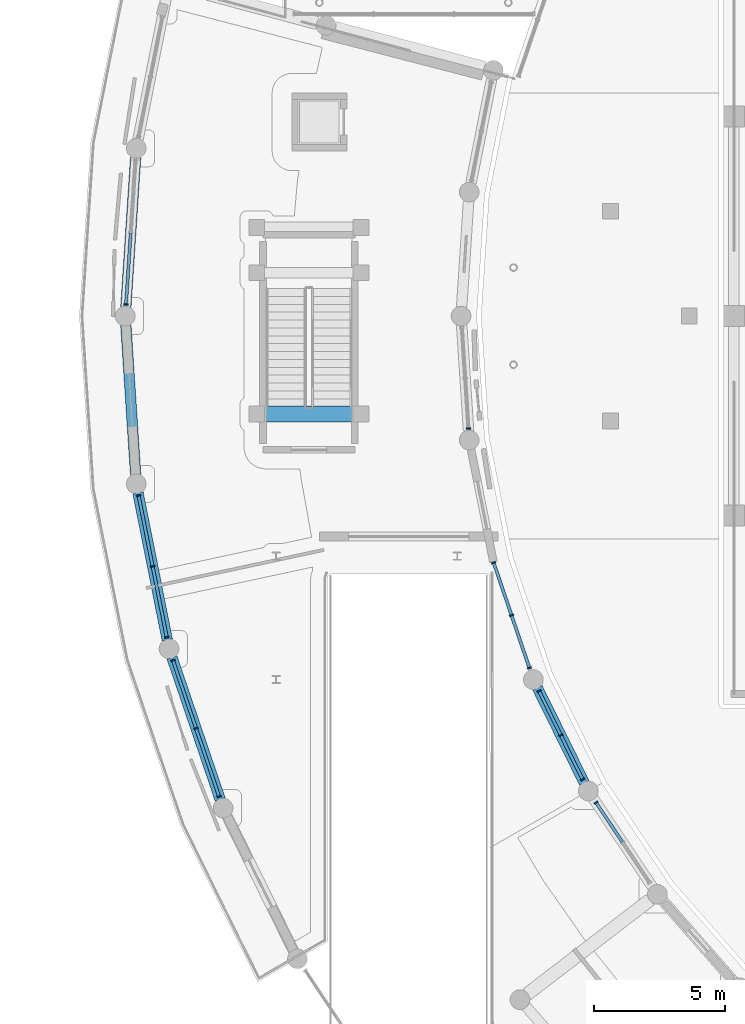
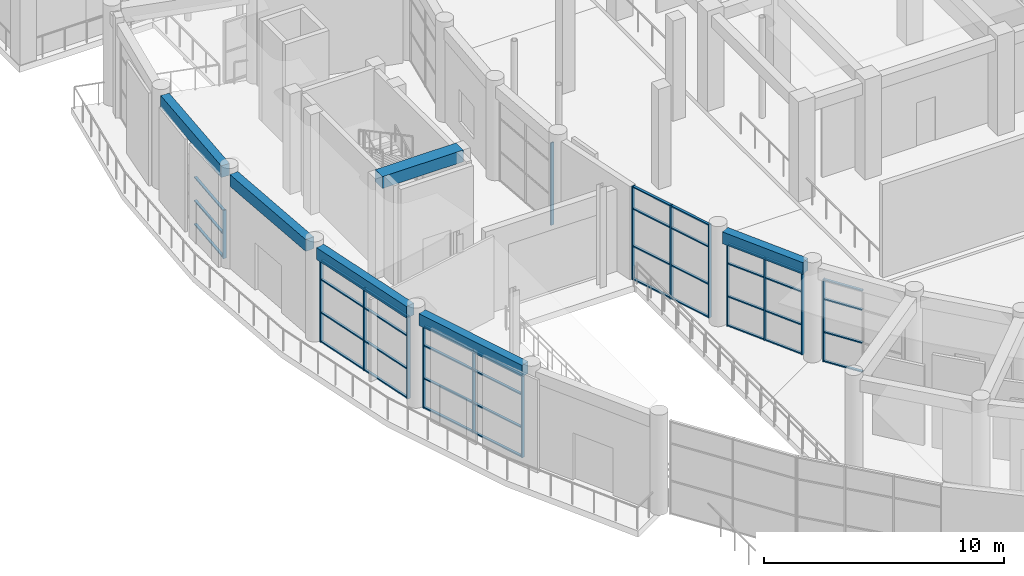
# One storey, part 31 of 99: 54 members, 6 beams, 7 elements without a shape of their own.
"""IFC4 building model written with IfcOpenShell, lengths in metres."""

from ifc_helpers import new_model, si_unit, direction, frame, origin, origin_2d, place, context, subcontext, project, spatial, rectangle, extrude, material, material_profile, profile_set, type_object, element, aggregate, save


model = new_model("IFC4")

# Units and contexts
model_context = context("Model", 3, precision=1e-05, world=origin(), true_north=direction((0.0, 1.0)))
body_context = subcontext(model_context, "Body", "Model", "MODEL_VIEW")
ifc_project = project(units=[si_unit("LENGTHUNIT", "METRE"), si_unit("AREAUNIT", "SQUARE_METRE"), si_unit("VOLUMEUNIT", "CUBIC_METRE"), si_unit("PLANEANGLEUNIT", "RADIAN"), si_unit("MASSUNIT", "GRAM", prefix="KILO")], contexts=[model_context])

# Site, building, storey
site_placement = place(None, origin())
site = spatial("IfcSite", under=ifc_project, at=site_placement, CompositionType="ELEMENT")
building_placement = place(site_placement, origin())
building = spatial("IfcBuilding", under=site, at=building_placement, Name="Saryqyr Civic Hall", CompositionType="ELEMENT")
storey_placement = place(building_placement, origin())
storey = spatial("IfcBuildingStorey", under=building, at=storey_placement, Name="L00", CompositionType="ELEMENT", Elevation=0.0)

# Curtain wall, member
ifc_material_1 = material(Name="Anodised aluminium and triple low-E glass", Category="aluminium")
curtain_wall_type_1 = type_object("IfcCurtainWallType", Name="ENV-CW-STD-03", PredefinedType="NOTDEFINED", material=ifc_material_1)
curtain_wall_1_placement = place(storey_placement, origin())
curtain_wall_1 = element("IfcCurtainWall", 1, at=curtain_wall_1_placement, inside=storey, type_object=curtain_wall_type_1, Name="Curtain wall V4-CWO-L00-01", PredefinedType="NOTDEFINED")
ifc_material_2 = material(Name="Anodised aluminium", Category="aluminium")
ifc_material_profile_1 = material_profile(ifc_material_2, rectangle(XDim=0.06005859375, YDim=0.159912109375, at=origin_2d()), Name="ALU MULLION 60x160")
ifc_profile_set_1 = profile_set([ifc_material_profile_1], Name="Anodised aluminium")
member_type_1 = type_object("IfcMemberType", Name="ENV-CW-MUL-180", PredefinedType="MULLION", material=ifc_profile_set_1)
member_1_placement = place(storey_placement, frame((8.029052734375, 84.44482421875, 0.0), z_axis=(0.0, 0.0, 1.0), x_axis=(0.065402806948, 0.997858944362, 0.0)))
member_1 = element("IfcMember", 2, at=member_1_placement, type_object=member_type_1, Name="CW-03 mullion 1", PredefinedType="MULLION", context=body_context, shape_type="SweptSolid", body=[
    extrude(rectangle(XDim=0.06005859375, YDim=0.159912109375, at=origin_2d()), origin(), (0.0, 0.0, 1.0), 2.449951171875),
])

curtain_wall_type_2 = type_object("IfcCurtainWallType", Name="ENV-CW-STD-02", PredefinedType="NOTDEFINED", material=ifc_material_1)
curtain_wall_2_placement = place(storey_placement, origin())
curtain_wall_2 = element("IfcCurtainWall", 3, at=curtain_wall_2_placement, inside=storey, type_object=curtain_wall_type_2, Name="Curtain wall V4-CWI-L00-02", PredefinedType="NOTDEFINED")
member_2_placement = place(storey_placement, frame((21.08056640625, 79.719970703125, 0.0), z_axis=(0.0, 0.0, 1.0), x_axis=(0.065405224139, -0.997858785929, 0.0)))
member_2 = element("IfcMember", 4, at=member_2_placement, type_object=member_type_1, Name="CW-02 mullion 3", PredefinedType="MULLION", context=body_context, shape_type="SweptSolid", body=[
    extrude(rectangle(XDim=0.06005859375, YDim=0.159912109375, at=origin_2d()), origin(), (0.0, 0.0, 1.0), 4.195068359375),
])
aggregate(curtain_wall_2, [member_2])

# Curtain wall, members
curtain_wall_type_3 = type_object("IfcCurtainWallType", Name="ENV-CW-STD-04", PredefinedType="NOTDEFINED", material=ifc_material_1)
curtain_wall_3_placement = place(storey_placement, origin())
curtain_wall_3 = element("IfcCurtainWall", 5, at=curtain_wall_3_placement, inside=storey, type_object=curtain_wall_type_3, Name="Curtain wall V4-CWO-L00-03", PredefinedType="NOTDEFINED")
member_3_placement = place(storey_placement, frame((9.581298828125, 71.76220703125, 0.0), z_axis=(0.0, 0.0, 1.0), x_axis=(-0.195103195198, 0.98078271968, 0.0)))
member_3 = element("IfcMember", 6, at=member_3_placement, type_object=member_type_1, Name="CW-04 mullion 1", PredefinedType="MULLION", context=body_context, shape_type="SweptSolid", body=[
    extrude(rectangle(XDim=0.06005859375, YDim=0.159912109375, at=origin_2d()), origin(), (0.0, 0.0, 1.0), 4.195068359375),
])
member_4_placement = place(storey_placement, frame((9.04443359375, 74.4609375, 0.0), z_axis=(0.0, 0.0, 1.0), x_axis=(-0.195103195198, 0.98078271968, 0.0)))
member_4 = element("IfcMember", 7, at=member_4_placement, type_object=member_type_1, Name="CW-04 mullion 2", PredefinedType="MULLION", context=body_context, shape_type="SweptSolid", body=[
    extrude(rectangle(XDim=0.06005859375, YDim=0.159912109375, at=origin_2d()), origin(), (0.0, 0.0, 1.0), 4.195068359375),
])
member_5_placement = place(storey_placement, frame((8.507568359375, 77.15966796875, 0.0), z_axis=(0.0, 0.0, 1.0), x_axis=(-0.195103195198, 0.98078271968, 0.0)))
member_5 = element("IfcMember", 8, at=member_5_placement, type_object=member_type_1, Name="CW-04 mullion 3", PredefinedType="MULLION", context=body_context, shape_type="SweptSolid", body=[
    extrude(rectangle(XDim=0.06005859375, YDim=0.159912109375, at=origin_2d()), origin(), (0.0, 0.0, 1.0), 4.195068359375),
])

curtain_wall_type_4 = type_object("IfcCurtainWallType", Name="ENV-CW-STD-05", PredefinedType="NOTDEFINED", material=ifc_material_1)
curtain_wall_4_placement = place(storey_placement, origin())
curtain_wall_4 = element("IfcCurtainWall", 9, at=curtain_wall_4_placement, inside=storey, type_object=curtain_wall_type_4, Name="Curtain wall V4-CWO-L00-04", PredefinedType="NOTDEFINED")
member_6_placement = place(storey_placement, frame((11.579345703125, 65.69189453125, 0.0), z_axis=(0.0, 0.0, 1.0), x_axis=(-0.321433526831, 0.946932145314, 0.0)))
member_6 = element("IfcMember", 10, at=member_6_placement, type_object=member_type_1, Name="CW-05 mullion 1", PredefinedType="MULLION", context=body_context, shape_type="SweptSolid", body=[
    extrude(rectangle(XDim=0.06005859375, YDim=0.159912109375, at=origin_2d()), origin(), (0.0, 0.0, 1.0), 4.195068359375),
])
member_7_placement = place(storey_placement, frame((10.69970703125, 68.283203125, 0.0), z_axis=(0.0, 0.0, 1.0), x_axis=(-0.321433526831, 0.946932145314, 0.0)))
member_7 = element("IfcMember", 11, at=member_7_placement, type_object=member_type_1, Name="CW-05 mullion 2", PredefinedType="MULLION", context=body_context, shape_type="SweptSolid", body=[
    extrude(rectangle(XDim=0.06005859375, YDim=0.159912109375, at=origin_2d()), origin(), (0.0, 0.0, 1.0), 4.195068359375),
])
member_8_placement = place(storey_placement, frame((9.820068359375, 70.87451171875, 0.0), z_axis=(0.0, 0.0, 1.0), x_axis=(-0.321433526831, 0.946932145314, 0.0)))
member_8 = element("IfcMember", 12, at=member_8_placement, type_object=member_type_1, Name="CW-05 mullion 3", PredefinedType="MULLION", context=body_context, shape_type="SweptSolid", body=[
    extrude(rectangle(XDim=0.06005859375, YDim=0.159912109375, at=origin_2d()), origin(), (0.0, 0.0, 1.0), 4.195068359375),
])

curtain_wall_type_5 = type_object("IfcCurtainWallType", Name="ENV-CW-STD-06", PredefinedType="NOTDEFINED", material=ifc_material_1)
curtain_wall_5_placement = place(storey_placement, origin())
curtain_wall_5 = element("IfcCurtainWall", 13, at=curtain_wall_5_placement, inside=storey, type_object=curtain_wall_type_5, Name="Curtain wall V4-CWI-L00-04", PredefinedType="NOTDEFINED")
member_9_placement = place(storey_placement, frame((22.043212890625, 74.602294921875, 0.0), z_axis=(0.0, 0.0, 1.0), x_axis=(0.321438331366, -0.946930514414, 0.0)))
member_9 = element("IfcMember", 14, at=member_9_placement, type_object=member_type_1, Name="CW-06 mullion 1", PredefinedType="MULLION", context=body_context, shape_type="SweptSolid", body=[
    extrude(rectangle(XDim=0.06005859375, YDim=0.159912109375, at=origin_2d()), origin(), (0.0, 0.0, 1.0), 4.75),
])
member_10_placement = place(storey_placement, frame((22.72412109375, 72.596435546875, 0.0), z_axis=(0.0, 0.0, 1.0), x_axis=(0.321438331366, -0.946930514414, 0.0)))
member_10 = element("IfcMember", 15, at=member_10_placement, type_object=member_type_1, Name="CW-06 mullion 2", PredefinedType="MULLION", context=body_context, shape_type="SweptSolid", body=[
    extrude(rectangle(XDim=0.06005859375, YDim=0.159912109375, at=origin_2d()), origin(), (0.0, 0.0, 1.0), 4.75),
])
member_11_placement = place(storey_placement, frame((23.405029296875, 70.59033203125, 0.0), z_axis=(0.0, 0.0, 1.0), x_axis=(0.321438331366, -0.946930514414, 0.0)))
member_11 = element("IfcMember", 16, at=member_11_placement, type_object=member_type_1, Name="CW-06 mullion 3", PredefinedType="MULLION", context=body_context, shape_type="SweptSolid", body=[
    extrude(rectangle(XDim=0.06005859375, YDim=0.159912109375, at=origin_2d()), origin(), (0.0, 0.0, 1.0), 4.75),
])

curtain_wall_type_6 = type_object("IfcCurtainWallType", Name="ENV-CW-STD-07", PredefinedType="NOTDEFINED", material=ifc_material_1)
curtain_wall_6_placement = place(storey_placement, origin())
curtain_wall_6 = element("IfcCurtainWall", 17, at=curtain_wall_6_placement, inside=storey, type_object=curtain_wall_type_6, Name="Curtain wall V4-CWI-L00-05", PredefinedType="NOTDEFINED")
member_12_placement = place(storey_placement, frame((23.773681640625, 69.705078125, 0.0), z_axis=(0.0, 0.0, 1.0), x_axis=(0.442261536344, -0.896886131831, 0.0)))
member_12 = element("IfcMember", 18, at=member_12_placement, type_object=member_type_1, Name="CW-07 mullion 1", PredefinedType="MULLION", context=body_context, shape_type="SweptSolid", body=[
    extrude(rectangle(XDim=0.06005859375, YDim=0.159912109375, at=origin_2d()), origin(), (0.0, 0.0, 1.0), 4.195068359375),
])
member_13_placement = place(storey_placement, frame((24.602783203125, 68.0234375, 0.0), z_axis=(0.0, 0.0, 1.0), x_axis=(0.442261536344, -0.896886131831, 0.0)))
member_13 = element("IfcMember", 19, at=member_13_placement, type_object=member_type_1, Name="CW-07 mullion 2", PredefinedType="MULLION", context=body_context, shape_type="SweptSolid", body=[
    extrude(rectangle(XDim=0.06005859375, YDim=0.159912109375, at=origin_2d()), origin(), (0.0, 0.0, 1.0), 4.195068359375),
])
member_14_placement = place(storey_placement, frame((25.431884765625, 66.341796875, 0.0), z_axis=(0.0, 0.0, 1.0), x_axis=(0.442261536344, -0.896886131831, 0.0)))
member_14 = element("IfcMember", 20, at=member_14_placement, type_object=member_type_1, Name="CW-07 mullion 3", PredefinedType="MULLION", context=body_context, shape_type="SweptSolid", body=[
    extrude(rectangle(XDim=0.06005859375, YDim=0.159912109375, at=origin_2d()), origin(), (0.0, 0.0, 1.0), 4.195068359375),
])

# Curtain wall, member
curtain_wall_type_7 = type_object("IfcCurtainWallType", Name="ENV-CW-STD-09", PredefinedType="NOTDEFINED", material=ifc_material_1)
curtain_wall_7_placement = place(storey_placement, origin())
curtain_wall_7 = element("IfcCurtainWall", 21, at=curtain_wall_7_placement, inside=storey, type_object=curtain_wall_type_7, Name="Curtain wall V4-CWI-L00-06", PredefinedType="NOTDEFINED")
member_15_placement = place(storey_placement, frame((25.94384765625, 65.4599609375, 0.0), z_axis=(0.0, 0.0, 1.0), x_axis=(0.555558270106, -0.831477605541, 0.0)))
member_15 = element("IfcMember", 22, at=member_15_placement, type_object=member_type_1, Name="CW-09 mullion 1", PredefinedType="MULLION", context=body_context, shape_type="SweptSolid", body=[
    extrude(rectangle(XDim=0.06005859375, YDim=0.159912109375, at=origin_2d()), origin(), (0.0, 0.0, 1.0), 4.195068359375),
])

# Member
ifc_material_profile_2 = material_profile(ifc_material_2, rectangle(XDim=0.1201171875, YDim=0.06005859375, at=origin_2d()), Name="ALU TRANSOM 120x60")
ifc_profile_set_2 = profile_set([ifc_material_profile_2], Name="Anodised aluminium")
member_type_2 = type_object("IfcMemberType", Name="ENV-CW-TRN-150", PredefinedType="USERDEFINED", material=ifc_profile_set_2)
member_16_placement = place(storey_placement, frame((8.031005859375, 84.474853515625, 0.030029296875), z_axis=(0.065402234061, 0.997858981911, 0.0), x_axis=(-0.997858981911, 0.065402234061, 0.0)))
member_16 = element("IfcMember", 23, at=member_16_placement, type_object=member_type_2, Name="CW-03 transom 1.1", ObjectType="TRANSOM", PredefinedType="USERDEFINED", context=body_context, shape_type="SweptSolid", body=[
    extrude(rectangle(XDim=0.1201171875, YDim=0.06005859375, at=origin_2d()), origin(), (0.0, 0.0, 1.0), 2.698974609375),
])

member_17_placement = place(storey_placement, frame((8.031005859375, 84.474853515625, 1.22509765625), z_axis=(0.065402234061, 0.997858981911, 0.0), x_axis=(-0.997858981911, 0.065402234061, 0.0)))
member_17 = element("IfcMember", 24, at=member_17_placement, type_object=member_type_2, Name="CW-03 transom 1.2", ObjectType="TRANSOM", PredefinedType="USERDEFINED", context=body_context, shape_type="SweptSolid", body=[
    extrude(rectangle(XDim=0.1201171875, YDim=0.06005859375, at=origin_2d()), origin(), (0.0, 0.0, 1.0), 2.698974609375),
])

member_18_placement = place(storey_placement, frame((8.031005859375, 84.474853515625, 2.419921875), z_axis=(0.065402234061, 0.997858981911, 0.0), x_axis=(-0.997858981911, 0.065402234061, 0.0)))
member_18 = element("IfcMember", 25, at=member_18_placement, type_object=member_type_2, Name="CW-03 transom 1.3", ObjectType="TRANSOM", PredefinedType="USERDEFINED", context=body_context, shape_type="SweptSolid", body=[
    extrude(rectangle(XDim=0.1201171875, YDim=0.06005859375, at=origin_2d()), origin(), (0.0, 0.0, 1.0), 2.698974609375),
])

aggregate(curtain_wall_1, [member_1, member_16, member_17, member_18])

member_19_placement = place(storey_placement, frame((9.575439453125, 71.791748046875, 0.030029296875), z_axis=(-0.19510433215, 0.98078249351, 0.0), x_axis=(-0.98078249351, -0.19510433215, 0.0)))
member_19 = element("IfcMember", 26, at=member_19_placement, type_object=member_type_2, Name="CW-04 transom 1.1", ObjectType="TRANSOM", PredefinedType="USERDEFINED", context=body_context, shape_type="SweptSolid", body=[
    extrude(rectangle(XDim=0.1201171875, YDim=0.06005859375, at=origin_2d()), origin(), (0.0, 0.0, 1.0), 2.691650390625),
])

member_20_placement = place(storey_placement, frame((9.575439453125, 71.791748046875, 1.510009765625), z_axis=(-0.19510433215, 0.98078249351, 0.0), x_axis=(-0.98078249351, -0.19510433215, 0.0)))
member_20 = element("IfcMember", 27, at=member_20_placement, type_object=member_type_2, Name="CW-04 transom 1.2", ObjectType="TRANSOM", PredefinedType="USERDEFINED", context=body_context, shape_type="SweptSolid", body=[
    extrude(rectangle(XDim=0.1201171875, YDim=0.06005859375, at=origin_2d()), origin(), (0.0, 0.0, 1.0), 2.691650390625),
])

member_21_placement = place(storey_placement, frame((9.575439453125, 71.791748046875, 3.18798828125), z_axis=(-0.19510433215, 0.98078249351, 0.0), x_axis=(-0.98078249351, -0.19510433215, 0.0)))
member_21 = element("IfcMember", 28, at=member_21_placement, type_object=member_type_2, Name="CW-04 transom 1.3", ObjectType="TRANSOM", PredefinedType="USERDEFINED", context=body_context, shape_type="SweptSolid", body=[
    extrude(rectangle(XDim=0.1201171875, YDim=0.06005859375, at=origin_2d()), origin(), (0.0, 0.0, 1.0), 2.691650390625),
])

member_22_placement = place(storey_placement, frame((9.575439453125, 71.791748046875, 4.1650390625), z_axis=(-0.19510433215, 0.98078249351, 0.0), x_axis=(-0.98078249351, -0.19510433215, 0.0)))
member_22 = element("IfcMember", 29, at=member_22_placement, type_object=member_type_2, Name="CW-04 transom 1.4", ObjectType="TRANSOM", PredefinedType="USERDEFINED", context=body_context, shape_type="SweptSolid", body=[
    extrude(rectangle(XDim=0.1201171875, YDim=0.06005859375, at=origin_2d()), origin(), (0.0, 0.0, 1.0), 2.691650390625),
])

member_23_placement = place(storey_placement, frame((9.03857421875, 74.490478515625, 0.030029296875), z_axis=(-0.19510433215, 0.98078249351, 0.0), x_axis=(-0.98078249351, -0.19510433215, 0.0)))
member_23 = element("IfcMember", 30, at=member_23_placement, type_object=member_type_2, Name="CW-04 transom 2.1", ObjectType="TRANSOM", PredefinedType="USERDEFINED", context=body_context, shape_type="SweptSolid", body=[
    extrude(rectangle(XDim=0.1201171875, YDim=0.06005859375, at=origin_2d()), origin(), (0.0, 0.0, 1.0), 2.691650390625),
])

member_24_placement = place(storey_placement, frame((9.03857421875, 74.490478515625, 1.510009765625), z_axis=(-0.19510433215, 0.98078249351, 0.0), x_axis=(-0.98078249351, -0.19510433215, 0.0)))
member_24 = element("IfcMember", 31, at=member_24_placement, type_object=member_type_2, Name="CW-04 transom 2.2", ObjectType="TRANSOM", PredefinedType="USERDEFINED", context=body_context, shape_type="SweptSolid", body=[
    extrude(rectangle(XDim=0.1201171875, YDim=0.06005859375, at=origin_2d()), origin(), (0.0, 0.0, 1.0), 2.691650390625),
])

member_25_placement = place(storey_placement, frame((9.03857421875, 74.490478515625, 3.18798828125), z_axis=(-0.19510433215, 0.98078249351, 0.0), x_axis=(-0.98078249351, -0.19510433215, 0.0)))
member_25 = element("IfcMember", 32, at=member_25_placement, type_object=member_type_2, Name="CW-04 transom 2.3", ObjectType="TRANSOM", PredefinedType="USERDEFINED", context=body_context, shape_type="SweptSolid", body=[
    extrude(rectangle(XDim=0.1201171875, YDim=0.06005859375, at=origin_2d()), origin(), (0.0, 0.0, 1.0), 2.691650390625),
])

member_26_placement = place(storey_placement, frame((9.03857421875, 74.490478515625, 4.1650390625), z_axis=(-0.19510433215, 0.98078249351, 0.0), x_axis=(-0.98078249351, -0.19510433215, 0.0)))
member_26 = element("IfcMember", 33, at=member_26_placement, type_object=member_type_2, Name="CW-04 transom 2.4", ObjectType="TRANSOM", PredefinedType="USERDEFINED", context=body_context, shape_type="SweptSolid", body=[
    extrude(rectangle(XDim=0.1201171875, YDim=0.06005859375, at=origin_2d()), origin(), (0.0, 0.0, 1.0), 2.691650390625),
])

aggregate(curtain_wall_3, [member_3, member_4, member_5, member_19, member_20, member_21, member_22, member_23, member_24, member_25, member_26])

member_27_placement = place(storey_placement, frame((11.56982421875, 65.72021484375, 0.030029296875), z_axis=(-0.321421953736, 0.946936073691, 0.0), x_axis=(-0.946936073691, -0.321421953736, 0.0)))
member_27 = element("IfcMember", 34, at=member_27_placement, type_object=member_type_2, Name="CW-05 transom 1.1", ObjectType="TRANSOM", PredefinedType="USERDEFINED", context=body_context, shape_type="SweptSolid", body=[
    extrude(rectangle(XDim=0.1201171875, YDim=0.06005859375, at=origin_2d()), origin(), (0.0, 0.0, 1.0), 2.6767578125),
])

member_28_placement = place(storey_placement, frame((11.56982421875, 65.72021484375, 1.510009765625), z_axis=(-0.321421953736, 0.946936073691, 0.0), x_axis=(-0.946936073691, -0.321421953736, 0.0)))
member_28 = element("IfcMember", 35, at=member_28_placement, type_object=member_type_2, Name="CW-05 transom 1.2", ObjectType="TRANSOM", PredefinedType="USERDEFINED", context=body_context, shape_type="SweptSolid", body=[
    extrude(rectangle(XDim=0.1201171875, YDim=0.06005859375, at=origin_2d()), origin(), (0.0, 0.0, 1.0), 2.6767578125),
])

member_29_placement = place(storey_placement, frame((11.56982421875, 65.72021484375, 3.18798828125), z_axis=(-0.321421953736, 0.946936073691, 0.0), x_axis=(-0.946936073691, -0.321421953736, 0.0)))
member_29 = element("IfcMember", 36, at=member_29_placement, type_object=member_type_2, Name="CW-05 transom 1.3", ObjectType="TRANSOM", PredefinedType="USERDEFINED", context=body_context, shape_type="SweptSolid", body=[
    extrude(rectangle(XDim=0.1201171875, YDim=0.06005859375, at=origin_2d()), origin(), (0.0, 0.0, 1.0), 2.6767578125),
])

member_30_placement = place(storey_placement, frame((11.56982421875, 65.72021484375, 4.1650390625), z_axis=(-0.321421953736, 0.946936073691, 0.0), x_axis=(-0.946936073691, -0.321421953736, 0.0)))
member_30 = element("IfcMember", 37, at=member_30_placement, type_object=member_type_2, Name="CW-05 transom 1.4", ObjectType="TRANSOM", PredefinedType="USERDEFINED", context=body_context, shape_type="SweptSolid", body=[
    extrude(rectangle(XDim=0.1201171875, YDim=0.06005859375, at=origin_2d()), origin(), (0.0, 0.0, 1.0), 2.6767578125),
])

member_31_placement = place(storey_placement, frame((10.690185546875, 68.3115234375, 0.030029296875), z_axis=(-0.321421953736, 0.946936073691, 0.0), x_axis=(-0.946936073691, -0.321421953736, 0.0)))
member_31 = element("IfcMember", 38, at=member_31_placement, type_object=member_type_2, Name="CW-05 transom 2.1", ObjectType="TRANSOM", PredefinedType="USERDEFINED", context=body_context, shape_type="SweptSolid", body=[
    extrude(rectangle(XDim=0.1201171875, YDim=0.06005859375, at=origin_2d()), origin(), (0.0, 0.0, 1.0), 2.6767578125),
])

member_32_placement = place(storey_placement, frame((10.690185546875, 68.3115234375, 1.510009765625), z_axis=(-0.321421953736, 0.946936073691, 0.0), x_axis=(-0.946936073691, -0.321421953736, 0.0)))
member_32 = element("IfcMember", 39, at=member_32_placement, type_object=member_type_2, Name="CW-05 transom 2.2", ObjectType="TRANSOM", PredefinedType="USERDEFINED", context=body_context, shape_type="SweptSolid", body=[
    extrude(rectangle(XDim=0.1201171875, YDim=0.06005859375, at=origin_2d()), origin(), (0.0, 0.0, 1.0), 2.6767578125),
])

member_33_placement = place(storey_placement, frame((10.690185546875, 68.3115234375, 3.18798828125), z_axis=(-0.321421953736, 0.946936073691, 0.0), x_axis=(-0.946936073691, -0.321421953736, 0.0)))
member_33 = element("IfcMember", 40, at=member_33_placement, type_object=member_type_2, Name="CW-05 transom 2.3", ObjectType="TRANSOM", PredefinedType="USERDEFINED", context=body_context, shape_type="SweptSolid", body=[
    extrude(rectangle(XDim=0.1201171875, YDim=0.06005859375, at=origin_2d()), origin(), (0.0, 0.0, 1.0), 2.6767578125),
])

member_34_placement = place(storey_placement, frame((10.690185546875, 68.3115234375, 4.1650390625), z_axis=(-0.321421953736, 0.946936073691, 0.0), x_axis=(-0.946936073691, -0.321421953736, 0.0)))
member_34 = element("IfcMember", 41, at=member_34_placement, type_object=member_type_2, Name="CW-05 transom 2.4", ObjectType="TRANSOM", PredefinedType="USERDEFINED", context=body_context, shape_type="SweptSolid", body=[
    extrude(rectangle(XDim=0.1201171875, YDim=0.06005859375, at=origin_2d()), origin(), (0.0, 0.0, 1.0), 2.6767578125),
])

aggregate(curtain_wall_4, [member_6, member_7, member_8, member_27, member_28, member_29, member_30, member_31, member_32, member_33, member_34])

member_35_placement = place(storey_placement, frame((22.052734375, 74.573974609375, 0.030029296875), z_axis=(0.321417897188, -0.94693745061, 0.0), x_axis=(0.94693745061, 0.321417897188, 0.0)))
member_35 = element("IfcMember", 42, at=member_35_placement, type_object=member_type_2, Name="CW-06 transom 1.1", ObjectType="TRANSOM", PredefinedType="USERDEFINED", context=body_context, shape_type="SweptSolid", body=[
    extrude(rectangle(XDim=0.1201171875, YDim=0.06005859375, at=origin_2d()), origin(), (0.0, 0.0, 1.0), 2.058349609375),
])

member_36_placement = place(storey_placement, frame((22.052734375, 74.573974609375, 1.7099609375), z_axis=(0.321417897188, -0.94693745061, 0.0), x_axis=(0.94693745061, 0.321417897188, 0.0)))
member_36 = element("IfcMember", 43, at=member_36_placement, type_object=member_type_2, Name="CW-06 transom 1.2", ObjectType="TRANSOM", PredefinedType="USERDEFINED", context=body_context, shape_type="SweptSolid", body=[
    extrude(rectangle(XDim=0.1201171875, YDim=0.06005859375, at=origin_2d()), origin(), (0.0, 0.0, 1.0), 2.058349609375),
])

member_37_placement = place(storey_placement, frame((22.052734375, 74.573974609375, 3.610107421875), z_axis=(0.321417897188, -0.94693745061, 0.0), x_axis=(0.94693745061, 0.321417897188, 0.0)))
member_37 = element("IfcMember", 44, at=member_37_placement, type_object=member_type_2, Name="CW-06 transom 1.3", ObjectType="TRANSOM", PredefinedType="USERDEFINED", context=body_context, shape_type="SweptSolid", body=[
    extrude(rectangle(XDim=0.1201171875, YDim=0.06005859375, at=origin_2d()), origin(), (0.0, 0.0, 1.0), 2.058349609375),
])

member_38_placement = place(storey_placement, frame((22.052734375, 74.573974609375, 4.719970703125), z_axis=(0.321417897188, -0.94693745061, 0.0), x_axis=(0.94693745061, 0.321417897188, 0.0)))
member_38 = element("IfcMember", 45, at=member_38_placement, type_object=member_type_2, Name="CW-06 transom 1.4", ObjectType="TRANSOM", PredefinedType="USERDEFINED", context=body_context, shape_type="SweptSolid", body=[
    extrude(rectangle(XDim=0.1201171875, YDim=0.06005859375, at=origin_2d()), origin(), (0.0, 0.0, 1.0), 2.058349609375),
])

member_39_placement = place(storey_placement, frame((22.733642578125, 72.56787109375, 0.030029296875), z_axis=(0.321524242541, -0.946901347268, 0.0), x_axis=(0.946901347268, 0.321524242541, 0.0)))
member_39 = element("IfcMember", 46, at=member_39_placement, type_object=member_type_2, Name="CW-06 transom 2.1", ObjectType="TRANSOM", PredefinedType="USERDEFINED", context=body_context, shape_type="SweptSolid", body=[
    extrude(rectangle(XDim=0.1201171875, YDim=0.06005859375, at=origin_2d()), origin(), (0.0, 0.0, 1.0), 2.05859375),
])

member_40_placement = place(storey_placement, frame((22.733642578125, 72.56787109375, 1.7099609375), z_axis=(0.321524242541, -0.946901347268, 0.0), x_axis=(0.946901347268, 0.321524242541, 0.0)))
member_40 = element("IfcMember", 47, at=member_40_placement, type_object=member_type_2, Name="CW-06 transom 2.2", ObjectType="TRANSOM", PredefinedType="USERDEFINED", context=body_context, shape_type="SweptSolid", body=[
    extrude(rectangle(XDim=0.1201171875, YDim=0.06005859375, at=origin_2d()), origin(), (0.0, 0.0, 1.0), 2.05859375),
])

member_41_placement = place(storey_placement, frame((22.733642578125, 72.56787109375, 3.610107421875), z_axis=(0.321524242541, -0.946901347268, 0.0), x_axis=(0.946901347268, 0.321524242541, 0.0)))
member_41 = element("IfcMember", 48, at=member_41_placement, type_object=member_type_2, Name="CW-06 transom 2.3", ObjectType="TRANSOM", PredefinedType="USERDEFINED", context=body_context, shape_type="SweptSolid", body=[
    extrude(rectangle(XDim=0.1201171875, YDim=0.06005859375, at=origin_2d()), origin(), (0.0, 0.0, 1.0), 2.05859375),
])

member_42_placement = place(storey_placement, frame((22.733642578125, 72.56787109375, 4.719970703125), z_axis=(0.321524242541, -0.946901347268, 0.0), x_axis=(0.946901347268, 0.321524242541, 0.0)))
member_42 = element("IfcMember", 49, at=member_42_placement, type_object=member_type_2, Name="CW-06 transom 2.4", ObjectType="TRANSOM", PredefinedType="USERDEFINED", context=body_context, shape_type="SweptSolid", body=[
    extrude(rectangle(XDim=0.1201171875, YDim=0.06005859375, at=origin_2d()), origin(), (0.0, 0.0, 1.0), 2.05859375),
])

aggregate(curtain_wall_5, [member_9, member_10, member_11, member_35, member_36, member_37, member_38, member_39, member_40, member_41, member_42])

member_43_placement = place(storey_placement, frame((23.786865234375, 69.677978515625, 0.030029296875), z_axis=(0.442310271473, -0.896862098513, 0.0), x_axis=(0.896862098513, 0.442310271473, 0.0)))
member_43 = element("IfcMember", 50, at=member_43_placement, type_object=member_type_2, Name="CW-07 transom 1.1", ObjectType="TRANSOM", PredefinedType="USERDEFINED", context=body_context, shape_type="SweptSolid", body=[
    extrude(rectangle(XDim=0.1201171875, YDim=0.06005859375, at=origin_2d()), origin(), (0.0, 0.0, 1.0), 1.81494140625),
])

member_44_placement = place(storey_placement, frame((23.786865234375, 69.677978515625, 1.510009765625), z_axis=(0.442310271473, -0.896862098513, 0.0), x_axis=(0.896862098513, 0.442310271473, 0.0)))
member_44 = element("IfcMember", 51, at=member_44_placement, type_object=member_type_2, Name="CW-07 transom 1.2", ObjectType="TRANSOM", PredefinedType="USERDEFINED", context=body_context, shape_type="SweptSolid", body=[
    extrude(rectangle(XDim=0.1201171875, YDim=0.06005859375, at=origin_2d()), origin(), (0.0, 0.0, 1.0), 1.81494140625),
])

member_45_placement = place(storey_placement, frame((23.786865234375, 69.677978515625, 3.18798828125), z_axis=(0.442310271473, -0.896862098513, 0.0), x_axis=(0.896862098513, 0.442310271473, 0.0)))
member_45 = element("IfcMember", 52, at=member_45_placement, type_object=member_type_2, Name="CW-07 transom 1.3", ObjectType="TRANSOM", PredefinedType="USERDEFINED", context=body_context, shape_type="SweptSolid", body=[
    extrude(rectangle(XDim=0.1201171875, YDim=0.06005859375, at=origin_2d()), origin(), (0.0, 0.0, 1.0), 1.81494140625),
])

member_46_placement = place(storey_placement, frame((23.786865234375, 69.677978515625, 4.1650390625), z_axis=(0.442310271473, -0.896862098513, 0.0), x_axis=(0.896862098513, 0.442310271473, 0.0)))
member_46 = element("IfcMember", 53, at=member_46_placement, type_object=member_type_2, Name="CW-07 transom 1.4", ObjectType="TRANSOM", PredefinedType="USERDEFINED", context=body_context, shape_type="SweptSolid", body=[
    extrude(rectangle(XDim=0.1201171875, YDim=0.06005859375, at=origin_2d()), origin(), (0.0, 0.0, 1.0), 1.81494140625),
])

member_47_placement = place(storey_placement, frame((24.615966796875, 67.99658203125, 0.030029296875), z_axis=(0.442310271473, -0.896862098513, 0.0), x_axis=(0.896862098513, 0.442310271473, 0.0)))
member_47 = element("IfcMember", 54, at=member_47_placement, type_object=member_type_2, Name="CW-07 transom 2.1", ObjectType="TRANSOM", PredefinedType="USERDEFINED", context=body_context, shape_type="SweptSolid", body=[
    extrude(rectangle(XDim=0.1201171875, YDim=0.06005859375, at=origin_2d()), origin(), (0.0, 0.0, 1.0), 1.81494140625),
])

member_48_placement = place(storey_placement, frame((24.615966796875, 67.99658203125, 1.510009765625), z_axis=(0.442310271473, -0.896862098513, 0.0), x_axis=(0.896862098513, 0.442310271473, 0.0)))
member_48 = element("IfcMember", 55, at=member_48_placement, type_object=member_type_2, Name="CW-07 transom 2.2", ObjectType="TRANSOM", PredefinedType="USERDEFINED", context=body_context, shape_type="SweptSolid", body=[
    extrude(rectangle(XDim=0.1201171875, YDim=0.06005859375, at=origin_2d()), origin(), (0.0, 0.0, 1.0), 1.81494140625),
])

member_49_placement = place(storey_placement, frame((24.615966796875, 67.99658203125, 3.18798828125), z_axis=(0.442310271473, -0.896862098513, 0.0), x_axis=(0.896862098513, 0.442310271473, 0.0)))
member_49 = element("IfcMember", 56, at=member_49_placement, type_object=member_type_2, Name="CW-07 transom 2.3", ObjectType="TRANSOM", PredefinedType="USERDEFINED", context=body_context, shape_type="SweptSolid", body=[
    extrude(rectangle(XDim=0.1201171875, YDim=0.06005859375, at=origin_2d()), origin(), (0.0, 0.0, 1.0), 1.81494140625),
])

member_50_placement = place(storey_placement, frame((24.615966796875, 67.99658203125, 4.1650390625), z_axis=(0.442310271473, -0.896862098513, 0.0), x_axis=(0.896862098513, 0.442310271473, 0.0)))
member_50 = element("IfcMember", 57, at=member_50_placement, type_object=member_type_2, Name="CW-07 transom 2.4", ObjectType="TRANSOM", PredefinedType="USERDEFINED", context=body_context, shape_type="SweptSolid", body=[
    extrude(rectangle(XDim=0.1201171875, YDim=0.06005859375, at=origin_2d()), origin(), (0.0, 0.0, 1.0), 1.81494140625),
])

aggregate(curtain_wall_6, [member_12, member_13, member_14, member_43, member_44, member_45, member_46, member_47, member_48, member_49, member_50])

member_51_placement = place(storey_placement, frame((25.96044921875, 65.43505859375, 0.030029296875), z_axis=(0.555555237081, -0.831479632073, 0.0), x_axis=(0.831479632073, 0.555555237081, 0.0)))
member_51 = element("IfcMember", 58, at=member_51_placement, type_object=member_type_2, Name="CW-09 transom 1.1", ObjectType="TRANSOM", PredefinedType="USERDEFINED", context=body_context, shape_type="SweptSolid", body=[
    extrude(rectangle(XDim=0.1201171875, YDim=0.06005859375, at=origin_2d()), origin(), (0.0, 0.0, 1.0), 1.778564453125),
])

member_52_placement = place(storey_placement, frame((25.96044921875, 65.43505859375, 1.510009765625), z_axis=(0.555555237081, -0.831479632073, 0.0), x_axis=(0.831479632073, 0.555555237081, 0.0)))
member_52 = element("IfcMember", 59, at=member_52_placement, type_object=member_type_2, Name="CW-09 transom 1.2", ObjectType="TRANSOM", PredefinedType="USERDEFINED", context=body_context, shape_type="SweptSolid", body=[
    extrude(rectangle(XDim=0.1201171875, YDim=0.06005859375, at=origin_2d()), origin(), (0.0, 0.0, 1.0), 1.778564453125),
])

member_53_placement = place(storey_placement, frame((25.96044921875, 65.43505859375, 3.18798828125), z_axis=(0.555555237081, -0.831479632073, 0.0), x_axis=(0.831479632073, 0.555555237081, 0.0)))
member_53 = element("IfcMember", 60, at=member_53_placement, type_object=member_type_2, Name="CW-09 transom 1.3", ObjectType="TRANSOM", PredefinedType="USERDEFINED", context=body_context, shape_type="SweptSolid", body=[
    extrude(rectangle(XDim=0.1201171875, YDim=0.06005859375, at=origin_2d()), origin(), (0.0, 0.0, 1.0), 1.778564453125),
])

member_54_placement = place(storey_placement, frame((25.96044921875, 65.43505859375, 4.1650390625), z_axis=(0.555555237081, -0.831479632073, 0.0), x_axis=(0.831479632073, 0.555555237081, 0.0)))
member_54 = element("IfcMember", 61, at=member_54_placement, type_object=member_type_2, Name="CW-09 transom 1.4", ObjectType="TRANSOM", PredefinedType="USERDEFINED", context=body_context, shape_type="SweptSolid", body=[
    extrude(rectangle(XDim=0.1201171875, YDim=0.06005859375, at=origin_2d()), origin(), (0.0, 0.0, 1.0), 1.778564453125),
])

aggregate(curtain_wall_7, [member_15, member_51, member_52, member_53, member_54])

# Beams
ifc_material_3 = material(Name="Concrete C35/45", Category="concrete")
ifc_material_profile_3 = material_profile(ifc_material_3, rectangle(XDim=0.39990234375, YDim=0.60009765625, at=origin_2d()), Name="RC 400x600")
ifc_profile_set_3 = profile_set([ifc_material_profile_3], Name="Concrete C35/45")
beam_type_1 = type_object("IfcBeamType", Name="STR-BM-RC400x600-EXT", PredefinedType="BEAM", material=ifc_profile_set_3)
for number, where, z_axis, x_axis, name in (
    (62, (8.396240234375, 90.04638671875, 4.52001953125), (-0.065383682973, -0.997860197623, 0.0), (0.997860197623, -0.065383682973, 0.0), "Beam V4-CBM-OUT01-L00"),
    (63, (8.02294921875, 83.650634765625, 4.52001953125), (0.065383682973, -0.997860197623, 0.0), (0.997860197623, 0.065383682973, 0.0), "Beam V4-CBM-OUT02-L00"),
):
    element("IfcBeam", number, at=place(storey_placement, frame(where, z_axis=z_axis, x_axis=x_axis)), inside=storey, type_object=beam_type_1, Name=name, PredefinedType="BEAM", context=body_context, shape_type="SweptSolid", body=[
        extrude(rectangle(XDim=0.39990234375, YDim=0.60009765625, at=origin_2d()), origin(), (0.0, 0.0, 1.0), 5.709228515625),
    ])
beam_1_placement = place(storey_placement, frame((8.487548828125, 77.260986328125, 4.52001953125), z_axis=(0.195071690094, -0.980788986339, 0.0), x_axis=(0.980788986339, 0.195071690094, 0.0)))
element("IfcBeam", 64, at=beam_1_placement, inside=storey, type_object=beam_type_1, Name="Beam V4-CBM-OUT03-L00", PredefinedType="BEAM", context=body_context, shape_type="SweptSolid", body=[
    extrude(rectangle(XDim=0.39990234375, YDim=0.60009765625, at=origin_2d()), origin(), (0.0, 0.0, 1.0), 5.70947265625),
])
beam_2_placement = place(storey_placement, frame((9.781982421875, 70.986572265625, 4.52001953125), z_axis=(0.321456564394, -0.946924324964, 0.0), x_axis=(0.946924324964, 0.321456564394, 0.0)))
element("IfcBeam", 65, at=beam_2_placement, inside=storey, type_object=beam_type_1, Name="Beam V4-CBM-OUT04-L00", PredefinedType="BEAM", context=body_context, shape_type="SweptSolid", body=[
    extrude(rectangle(XDim=0.39990234375, YDim=0.60009765625, at=origin_2d()), origin(), (0.0, 0.0, 1.0), 5.709716796875),
])
beam_3_placement = place(storey_placement, frame((23.71044921875, 69.8330078125, 4.52001953125), z_axis=(0.442269817408, -0.896882048326, 0.0), x_axis=(0.896882048326, 0.442269817408, 0.0)))
element("IfcBeam", 66, at=beam_3_placement, inside=storey, type_object=beam_type_1, Name="Beam V4-CBM-IN05-L00", PredefinedType="BEAM", context=body_context, shape_type="SweptSolid", body=[
    extrude(rectangle(XDim=0.39990234375, YDim=0.60009765625, at=origin_2d()), origin(), (0.0, 0.0, 1.0), 4.03515625),
])
ifc_material_4 = material(Name="Concrete C40/50", Category="concrete")
ifc_material_profile_4 = material_profile(ifc_material_4, rectangle(XDim=0.60009765625, YDim=0.60009765625, at=origin_2d()), Name="RC 600x600")
ifc_profile_set_4 = profile_set([ifc_material_profile_4], Name="Concrete C40/50")
beam_type_2 = type_object("IfcBeamType", Name="STR-BM-RC600x600", PredefinedType="BEAM", material=ifc_profile_set_4)
beam_4_placement = place(storey_placement, frame((16.949951171875, 80.264892578125, 4.800048828125), z_axis=(-1.0, 0.0, 0.0), x_axis=(0.0, -1.0, 0.0)))
element("IfcBeam", 67, at=beam_4_placement, inside=storey, type_object=beam_type_2, Name="Stair well trimmer beam ST-4-L01", PredefinedType="BEAM", context=body_context, shape_type="SweptSolid", body=[
    extrude(rectangle(XDim=0.60009765625, YDim=0.60009765625, at=origin_2d()), origin(), (0.0, 0.0, 1.0), 3.89990234375),
])

save(model, "model.ifc")
